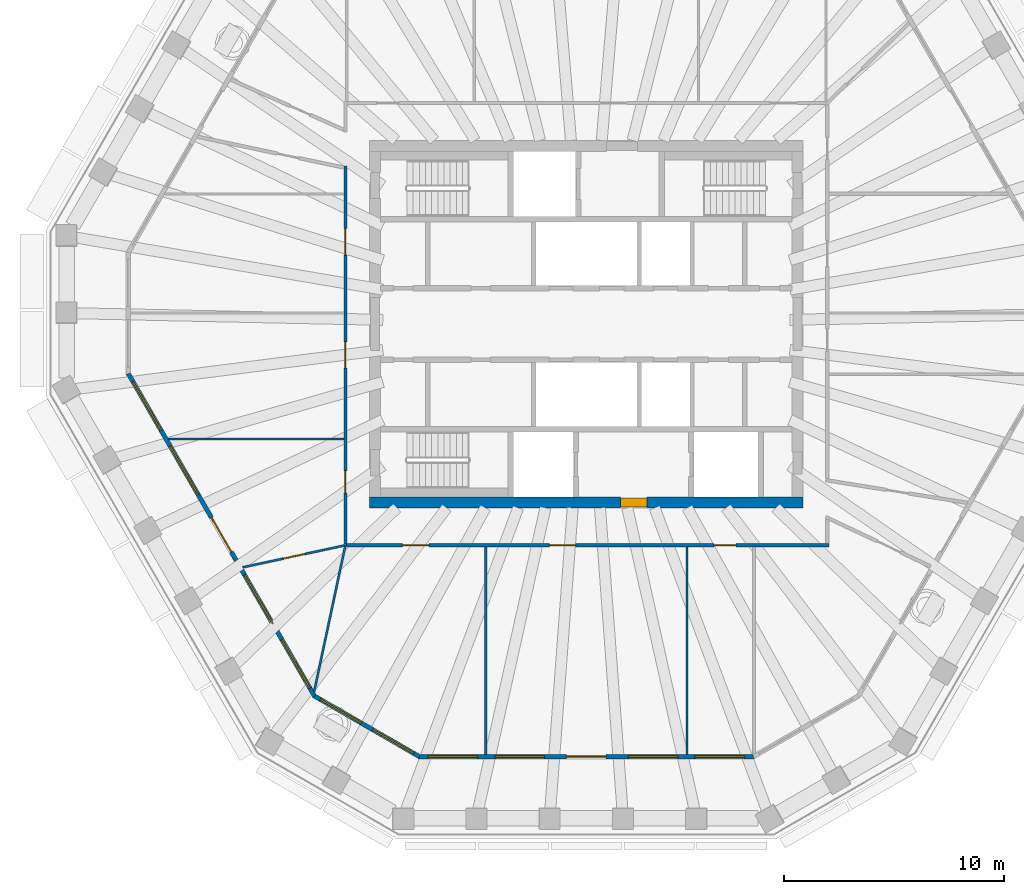
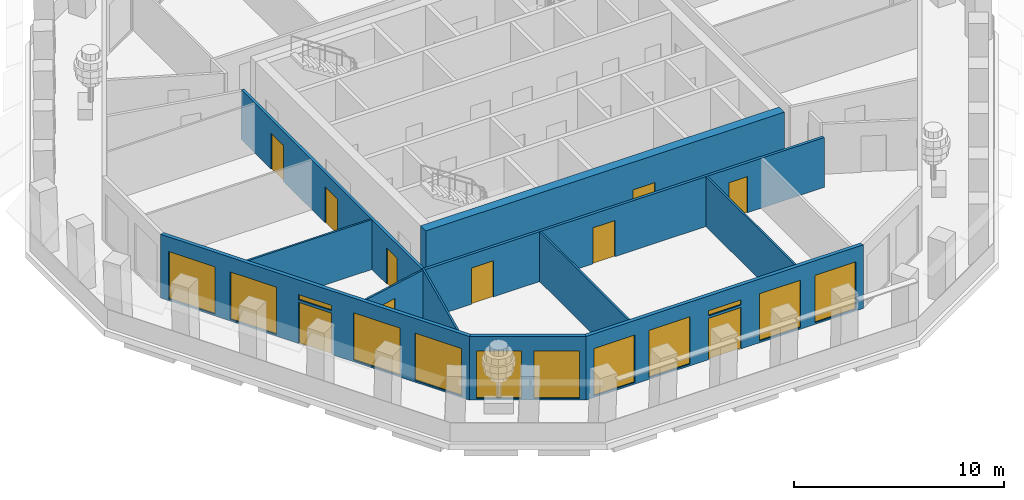
# One storey, part 3 of 11: 12 windows, 11 walls, 10 doors, 22 openings.
"""IFC4 building model written with IfcOpenShell, lengths in metres."""

import ifcopenshell
import ifcopenshell.guid

model = None  # the IFC model being written
_history = None  # IfcOwnerHistory: only IFC2X3 demands one
_inside = {}  # id of a spatial element -> (the spatial element, [elements in it])
_under = {}  # id of a project, library or spatial element -> (it, [spatial elements below it])
_declared = {}  # id of a project -> (the project, [libraries it declares])
_typed = {}  # id of a type object -> (the type object, [elements of that type])
_made_of = {}  # id of a material, layer set ... -> (it, [elements and type objects made of it])


def new_model(schema):
    """Start an empty IFC model of exactly this schema.

    Asked for "IFC4X3", IfcOpenShell would pick the latest addendum, in which some entities
    have other attributes; the version numbers below select the first issue.
    IFC2X3 requires an IfcOwnerHistory on every rooted entity: one is made here for all.
    """
    global model, _history
    if schema == "IFC4X3":
        model = ifcopenshell.file(schema_version=(4, 3, 0, 0))
    else:
        model = ifcopenshell.file(schema=schema)
    _inside.clear()
    _under.clear()
    _declared.clear()
    _typed.clear()
    _made_of.clear()
    _history = None
    if model.schema == "IFC2X3":
        org = make("IfcOrganization", Name="unknown")
        user = make(
            "IfcPersonAndOrganization",
            ThePerson=make("IfcPerson", FamilyName="unknown"),
            TheOrganization=org,
        )
        app = make(
            "IfcApplication",
            ApplicationDeveloper=org,
            Version="unknown",
            ApplicationFullName="unknown",
            ApplicationIdentifier="unknown",
        )
        _history = make(
            "IfcOwnerHistory",
            OwningUser=user,
            OwningApplication=app,
            ChangeAction="ADDED",
            CreationDate=0,
        )
    return model


def make(cls, **values):
    """One entity of the class cls with the attributes given. An attribute that is None is left unset."""
    return model.create_entity(
        cls, **{name: value for name, value in values.items() if value is not None}
    )


def rooted(cls, **values):
    """An entity with a GlobalId (a new one), such as an element, a storey or a relation."""
    return make(cls, GlobalId=ifcopenshell.guid.new(), OwnerHistory=_history, **values)


def si_unit(unit_type, name, prefix=None):
    """IfcSIUnit, for example si_unit("LENGTHUNIT", "METRE", prefix="MILLI")."""
    return make("IfcSIUnit", UnitType=unit_type, Prefix=prefix, Name=name)


def assignment(units):
    """IfcUnitAssignment: the units of a project."""
    return None if units is None else make("IfcUnitAssignment", Units=units)


def point(xyz):
    """IfcCartesianPoint."""
    return None if xyz is None else make("IfcCartesianPoint", Coordinates=xyz)


def direction(xyz):
    """IfcDirection."""
    return None if xyz is None else make("IfcDirection", DirectionRatios=xyz)


def frame(location, z_axis=None, x_axis=None):
    """IfcAxis2Placement3D, a coordinate frame: its origin and axes. An axis left out is left unset."""
    return make(
        "IfcAxis2Placement3D",
        Location=point(location),
        Axis=direction(z_axis),
        RefDirection=direction(x_axis),
    )


def frame_2d(location, x_axis=None):
    """IfcAxis2Placement2D, a coordinate frame in the plane: its origin and x axis."""
    return make(
        "IfcAxis2Placement2D", Location=point(location), RefDirection=direction(x_axis)
    )


def origin():
    """The frame at (0, 0, 0) with its axes left unset."""
    return frame((0.0, 0.0, 0.0))


def place(relative_to, where):
    """IfcLocalPlacement: puts the frame where relative to a parent placement (None: the world)."""
    return make(
        "IfcLocalPlacement", PlacementRelTo=relative_to, RelativePlacement=where
    )


def context(
    kind, dimensions, precision=None, world=None, true_north=None, identifier=None
):
    """IfcGeometricRepresentationContext, for example the 3D "Model" context."""
    return make(
        "IfcGeometricRepresentationContext",
        ContextIdentifier=identifier,
        ContextType=kind,
        CoordinateSpaceDimension=dimensions,
        Precision=precision,
        WorldCoordinateSystem=world,
        TrueNorth=true_north,
    )


def subcontext(parent, identifier, kind, view, scale=None):
    """IfcGeometricRepresentationSubContext, for example "Body" below "Model"."""
    return make(
        "IfcGeometricRepresentationSubContext",
        ContextIdentifier=identifier,
        ContextType=kind,
        ParentContext=parent,
        TargetScale=scale,
        TargetView=view,
    )


def project(units=None, contexts=None):
    """IfcProject with its units and contexts."""
    return rooted(
        "IfcProject",
        Name="project",
        RepresentationContexts=contexts,
        UnitsInContext=assignment(units),
    )


def spatial(cls, under=None, at=None, **own):
    """A site, building, storey or space (cls), placed at a placement, below another one or the project."""
    s = rooted(cls, ObjectPlacement=at, **own)
    if under is not None:
        _under.setdefault(under.id(), (under, []))[1].append(s)
    return s


def polyline(points):
    """IfcPolyline through the points."""
    return make("IfcPolyline", Points=[point(p) for p in points])


def profile(cls, at=None, kind="AREA", **sizes):
    """A parametric profile (cls). Its sizes go by their IFC names, for example OverallWidth=200.0."""
    return make(cls, ProfileType=kind, Position=at, **sizes)


def rectangle(**sizes):
    """IfcRectangleProfileDef."""
    return profile("IfcRectangleProfileDef", **sizes)


def outline(outer, holes=None, kind="AREA"):
    """IfcArbitraryClosedProfileDef: a profile drawn as a closed curve; with holes, ...WithVoids."""
    if holes is None:
        return make("IfcArbitraryClosedProfileDef", ProfileType=kind, OuterCurve=outer)
    return make(
        "IfcArbitraryProfileDefWithVoids",
        ProfileType=kind,
        OuterCurve=outer,
        InnerCurves=holes,
    )


def extrude(swept, where, along, depth):
    """IfcExtrudedAreaSolid: the profile swept, set in the frame where, extruded along a direction by depth."""
    return make(
        "IfcExtrudedAreaSolid",
        SweptArea=swept,
        Position=where,
        ExtrudedDirection=direction(along),
        Depth=depth,
    )


def shape(context_of_items, identifier, shape_type, items):
    """IfcShapeRepresentation: the items that make up one representation, for example the "Body"."""
    return make(
        "IfcShapeRepresentation",
        ContextOfItems=context_of_items,
        RepresentationIdentifier=identifier,
        RepresentationType=shape_type,
        Items=items,
    )


def material(Name=None, Category=None):
    """IfcMaterial."""
    return make("IfcMaterial", Name=Name, Category=Category)


def layer(
    of_material, thickness, ventilated=None, Name=None, Category=None, Priority=None
):
    """IfcMaterialLayer: one layer of a wall or slab, of a material (None: an air gap)."""
    return make(
        "IfcMaterialLayer",
        Material=of_material,
        LayerThickness=thickness,
        IsVentilated=ventilated,
        Name=Name,
        Category=Category,
        Priority=Priority,
    )


def layer_set(layers, Name=None):
    """IfcMaterialLayerSet."""
    return make("IfcMaterialLayerSet", MaterialLayers=layers, LayerSetName=Name)


def made_of(thing, what):
    """Note that an element or type object is made of a material, layer set ...; save() writes the relation."""
    if what is not None:
        _made_of.setdefault(what.id(), (what, []))[1].append(thing)
    return thing


def type_object(cls, material=None, **own):
    """A type object (cls), such as IfcWallType, which elements share."""
    return made_of(rooted(cls, **own), material)


def element(
    cls,
    number,
    at=None,
    inside=None,
    cuts=None,
    type_object=None,
    material=None,
    context=None,
    identifier="Body",
    shape_type=None,
    held_by="IfcProductDefinitionShape",
    body=None,
    shapes=None,
    **own,
):
    """One element of the class cls, such as IfcWall. Its Tag is "e" and its number.

    at: its placement. inside: the storey or other place that contains it. cuts: it is an
    opening in that element (IfcRelVoidsElement). A single representation is given by context,
    identifier, shape_type and body (its items); several are given by shapes. held_by: the class
    of the entity that holds the representations. save() writes the other relations.
    """
    e = rooted(cls, Tag="e%d" % number, ObjectPlacement=at, **own)
    if body is not None:
        shapes = [shape(context, identifier, shape_type, body)]
    if shapes is not None:
        e.Representation = make(held_by, Representations=shapes)
    if inside is not None:
        _inside.setdefault(inside.id(), (inside, []))[1].append(e)
    if cuts is not None:
        rooted(
            "IfcRelVoidsElement", RelatingBuildingElement=cuts, RelatedOpeningElement=e
        )
    if type_object is not None:
        _typed.setdefault(type_object.id(), (type_object, []))[1].append(e)
    return made_of(e, material)


def fill(opening, filler):
    """IfcRelFillsElement: the door or window that sits in an opening."""
    return rooted(
        "IfcRelFillsElement",
        RelatingOpeningElement=opening,
        RelatedBuildingElement=filler,
    )


def aggregate(whole, parts):
    """IfcRelAggregates: a whole, such as a stair, and the parts it consists of."""
    return rooted("IfcRelAggregates", RelatingObject=whole, RelatedObjects=parts)


def save(model, path):
    """Write the relations noted so far, then the file.

    IfcRelAggregates (storeys below a building ...), IfcRelContainedInSpatialStructure (elements
    in a storey), IfcRelDefinesByType, IfcRelAssociatesMaterial and IfcRelDeclares: one each for
    every whole, place, type object, material and project.
    """
    for whole, parts in _under.values():
        aggregate(whole, parts)
    for where, things in _inside.values():
        rooted(
            "IfcRelContainedInSpatialStructure",
            RelatedElements=things,
            RelatingStructure=where,
        )
    for kind, things in _typed.values():
        rooted("IfcRelDefinesByType", RelatedObjects=things, RelatingType=kind)
    for what, things in _made_of.values():
        rooted("IfcRelAssociatesMaterial", RelatedObjects=things, RelatingMaterial=what)
    for by, libraries in _declared.values():
        rooted("IfcRelDeclares", RelatingContext=by, RelatedDefinitions=libraries)
    model.write(path)


model = new_model("IFC4")

# Units and contexts
model_context = context("Model", 3, precision=1e-05, world=origin(), true_north=direction((0.0, 1.0)))
body_context = subcontext(model_context, "Body", "Model", "MODEL_VIEW")
ifc_project = project(units=[si_unit("LENGTHUNIT", "METRE"), si_unit("AREAUNIT", "SQUARE_METRE"), si_unit("VOLUMEUNIT", "CUBIC_METRE"), si_unit("PLANEANGLEUNIT", "RADIAN"), si_unit("MASSUNIT", "GRAM", prefix="KILO")], contexts=[model_context])

# Site, building, storey
site_placement = place(None, origin())
site = spatial("IfcSite", under=ifc_project, at=site_placement, CompositionType="ELEMENT")
building_placement = place(site_placement, origin())
building = spatial("IfcBuilding", under=site, at=building_placement, Name="Frailejon Research Tower", CompositionType="ELEMENT")
storey_placement = place(building_placement, frame((0.0, 0.0, 279.0)))
storey = spatial("IfcBuildingStorey", under=building, at=storey_placement, Name="L61", CompositionType="ELEMENT", Elevation=279.0)

# Wall, opening, door
ifc_material_1 = material(Name="Concrete C50/60", Category="concrete")
ifc_layer_1 = layer(ifc_material_1, 0.5)
ifc_layer_set_1 = layer_set([ifc_layer_1], Name="Core shear wall 500 C50/60")
wall_type_1 = type_object("IfcWallType", Name="Core shear wall 500 C50/60", PredefinedType="SHEAR", material=ifc_layer_set_1)
wall_1_placement = place(storey_placement, frame((-9.85009765625, -8.10009765625, 0.0), z_axis=(0.0, 0.0, 1.0), x_axis=(1.0, 0.0, 0.0)))
wall_1 = element("IfcWall", 1, at=wall_1_placement, inside=storey, type_object=wall_type_1, Name="Core shear wall", PredefinedType="SHEAR", context=body_context, shape_type="SweptSolid", body=[
    extrude(rectangle(XDim=19.7001953125, YDim=0.5, at=frame_2d((9.85009765625, 0.0))), origin(), (0.0, 0.0, 1.0), 3.699951171875),
])
opening_1_placement = place(wall_1_placement, frame((11.39990234375, 0.0, 0.0)))
opening_1 = element("IfcOpeningElement", 2, at=opening_1_placement, cuts=wall_1, Name="Opening D3", PredefinedType="OPENING", context=body_context, shape_type="SweptSolid", body=[
    extrude(rectangle(XDim=1.199951171875, YDim=2.10009765625, at=frame_2d((0.60009765625, 1.050048828125))), frame((0.0, 0.260009765625, 0.0), z_axis=(0.0, -1.0, 0.0), x_axis=(1.0, 0.0, 0.0)), (0.0, 0.0, 1.0), 0.52001953125),
])
ifc_material_2 = material(Name="Steel", Category="steel")
door_type_1 = type_object("IfcDoorType", Name="Firefighting lobby door", OperationType="SINGLE_SWING_LEFT", PredefinedType="DOOR", material=ifc_material_2)
door_1_placement = place(opening_1_placement, origin())
door_1 = element("IfcDoor", 3, at=door_1_placement, inside=storey, type_object=door_type_1, Name="Firefighting lobby door", OperationType="SINGLE_SWING_LEFT", OverallHeight=2.10009765625, OverallWidth=1.199951171875, PredefinedType="DOOR", context=body_context, shape_type="SweptSolid", body=[
    extrude(rectangle(XDim=1.199951171875, YDim=2.10009765625, at=frame_2d((0.60009765625, 1.050048828125))), frame((0.0, 0.199951171875, 0.0), z_axis=(0.0, -1.0, 0.0), x_axis=(1.0, 0.0, 0.0)), (0.0, 0.0, 1.0), 0.39990234375),
])
fill(opening_1, door_1)

# Wall, openings, doors
ifc_material_3 = material(Name="Gypsum board and masonry partition", Category="masonry")
ifc_layer_2 = layer(ifc_material_3, 0.14990234375)
ifc_layer_set_2 = layer_set([ifc_layer_2], Name="Corridor wall EI 60, gypsum on steel studs 150")
wall_type_2 = type_object("IfcWallType", Name="Corridor wall EI 60, gypsum on steel studs 150", PredefinedType="PARTITIONING", material=ifc_layer_set_2)
wall_2_placement = place(storey_placement, frame((-10.949951171875, -9.97509765625, 0.0), z_axis=(0.0, 0.0, 1.0), x_axis=(0.0, 1.0, 0.0)))
wall_2 = element("IfcWall", 4, at=wall_2_placement, inside=storey, type_object=wall_type_2, Name="T:IW:L61:006", PredefinedType="PARTITIONING", context=body_context, shape_type="SweptSolid", body=[
    extrude(rectangle(XDim=17.150146484375, YDim=0.14990234375, at=frame_2d((8.5751953125, 0.0))), origin(), (0.0, 0.0, 1.0), 2.89990234375),
])
opening_2_placement = place(wall_2_placement, frame((13.113525390625, 0.0, 0.0)))
opening_2 = element("IfcOpeningElement", 5, at=opening_2_placement, cuts=wall_2, Name="Opening D2177", PredefinedType="OPENING", context=body_context, shape_type="SweptSolid", body=[
    extrude(rectangle(XDim=1.199951171875, YDim=2.10009765625, at=frame_2d((0.60009765625, 1.050048828125))), frame((0.0, 0.0849609375, 0.0), z_axis=(0.0, -1.0, 0.0), x_axis=(1.0, 0.0, 0.0)), (0.0, 0.0, 1.0), 0.169921875),
])
opening_3_placement = place(wall_2_placement, frame((7.973388671875, 0.0, 0.0)))
opening_3 = element("IfcOpeningElement", 6, at=opening_3_placement, cuts=wall_2, Name="Opening D2178", PredefinedType="OPENING", context=body_context, shape_type="SweptSolid", body=[
    extrude(rectangle(XDim=1.199951171875, YDim=2.10009765625, at=frame_2d((0.60009765625, 1.050048828125))), frame((0.0, 0.0849609375, 0.0), z_axis=(0.0, -1.0, 0.0), x_axis=(1.0, 0.0, 0.0)), (0.0, 0.0, 1.0), 0.169921875),
])
opening_4_placement = place(wall_2_placement, frame((2.3125, 0.0, 0.0)))
opening_4 = element("IfcOpeningElement", 7, at=opening_4_placement, cuts=wall_2, Name="Opening D2179", PredefinedType="OPENING", context=body_context, shape_type="SweptSolid", body=[
    extrude(rectangle(XDim=1.0, YDim=2.10009765625, at=frame_2d((0.5, 1.050048828125))), frame((0.0, 0.0849609375, 0.0), z_axis=(0.0, -1.0, 0.0), x_axis=(1.0, 0.0, 0.0)), (0.0, 0.0, 1.0), 0.169921875),
])
ifc_material_4 = material(Name="Timber door leaf", Category="wood")
door_type_2 = type_object("IfcDoorType", Name="Door single leaf, timber, steel frame 1000", OperationType="NOTDEFINED", PredefinedType="DOOR", material=ifc_material_4)
door_2_placement = place(opening_4_placement, origin())
door_2 = element("IfcDoor", 8, at=door_2_placement, inside=storey, type_object=door_type_2, Name="D2179", OperationType="SINGLE_SWING_RIGHT", OverallHeight=2.10009765625, OverallWidth=1.0, PredefinedType="DOOR", context=body_context, shape_type="SweptSolid", body=[
    extrude(rectangle(XDim=1.0, YDim=2.10009765625, at=frame_2d((0.5, 1.050048828125))), frame((0.0, 0.02490234375, 0.0), z_axis=(0.0, -1.0, 0.0), x_axis=(1.0, 0.0, 0.0)), (0.0, 0.0, 1.0), 0.050048828125),
])
fill(opening_4, door_2)
ifc_material_5 = material(Name="Timber door leaf", Category="wood")
door_type_3 = type_object("IfcDoorType", Name="Door single leaf, timber, steel frame 1200", OperationType="NOTDEFINED", PredefinedType="DOOR", material=ifc_material_5)
door_3_placement = place(opening_2_placement, origin())
door_3 = element("IfcDoor", 9, at=door_3_placement, inside=storey, type_object=door_type_3, Name="D2177", OperationType="DOUBLE_DOOR_SINGLE_SWING", OverallHeight=2.10009765625, OverallWidth=1.199951171875, PredefinedType="DOOR", context=body_context, shape_type="SweptSolid", body=[
    extrude(rectangle(XDim=1.199951171875, YDim=2.10009765625, at=frame_2d((0.60009765625, 1.050048828125))), frame((0.0, 0.02490234375, 0.0), z_axis=(0.0, -1.0, 0.0), x_axis=(1.0, 0.0, 0.0)), (0.0, 0.0, 1.0), 0.050048828125),
])
fill(opening_2, door_3)
door_4_placement = place(opening_3_placement, origin())
door_4 = element("IfcDoor", 10, at=door_4_placement, inside=storey, type_object=door_type_3, Name="D2178", OperationType="DOUBLE_DOOR_SINGLE_SWING", OverallHeight=2.10009765625, OverallWidth=1.199951171875, PredefinedType="DOOR", context=body_context, shape_type="SweptSolid", body=[
    extrude(rectangle(XDim=1.199951171875, YDim=2.10009765625, at=frame_2d((0.60009765625, 1.050048828125))), frame((0.0, 0.02490234375, 0.0), z_axis=(0.0, -1.0, 0.0), x_axis=(1.0, 0.0, 0.0)), (0.0, 0.0, 1.0), 0.050048828125),
])
fill(opening_3, door_4)

wall_3_placement = place(storey_placement, frame((-10.89990234375, -10.050048828125, 0.0), z_axis=(0.0, 0.0, 1.0), x_axis=(1.0, 0.0, 0.0)))
wall_3 = element("IfcWall", 11, at=wall_3_placement, inside=storey, type_object=wall_type_2, Name="T:IW:L61:008", PredefinedType="PARTITIONING", context=body_context, shape_type="SweptSolid", body=[
    extrude(rectangle(XDim=21.9248046875, YDim=0.14990234375, at=frame_2d((10.96240234375, 0.0))), origin(), (0.0, 0.0, 1.0), 2.89990234375),
])
opening_5_placement = place(wall_3_placement, frame((2.540283203125, 0.0, 0.0)))
opening_5 = element("IfcOpeningElement", 12, at=opening_5_placement, cuts=wall_3, Name="Opening D2181", PredefinedType="OPENING", context=body_context, shape_type="SweptSolid", body=[
    extrude(rectangle(XDim=1.199951171875, YDim=2.10009765625, at=frame_2d((0.60009765625, 1.050048828125))), frame((0.0, 0.0849609375, 0.0), z_axis=(0.0, -1.0, 0.0), x_axis=(1.0, 0.0, 0.0)), (0.0, 0.0, 1.0), 0.169921875),
])
opening_6_placement = place(wall_3_placement, frame((9.214111328125, 0.0, 0.0)))
opening_6 = element("IfcOpeningElement", 13, at=opening_6_placement, cuts=wall_3, Name="Opening D2182", PredefinedType="OPENING", context=body_context, shape_type="SweptSolid", body=[
    extrude(rectangle(XDim=1.199951171875, YDim=2.10009765625, at=frame_2d((0.60009765625, 1.050048828125))), frame((0.0, 0.0849609375, 0.0), z_axis=(0.0, -1.0, 0.0), x_axis=(1.0, 0.0, 0.0)), (0.0, 0.0, 1.0), 0.169921875),
])
opening_7_placement = place(wall_3_placement, frame((16.694091796875, 0.0, 0.0)))
opening_7 = element("IfcOpeningElement", 14, at=opening_7_placement, cuts=wall_3, Name="Opening D2183", PredefinedType="OPENING", context=body_context, shape_type="SweptSolid", body=[
    extrude(rectangle(XDim=1.0, YDim=2.10009765625, at=frame_2d((0.5, 1.050048828125))), frame((0.0, 0.0849609375, 0.0), z_axis=(0.0, -1.0, 0.0), x_axis=(1.0, 0.0, 0.0)), (0.0, 0.0, 1.0), 0.169921875),
])
door_5_placement = place(opening_7_placement, origin())
door_5 = element("IfcDoor", 15, at=door_5_placement, inside=storey, type_object=door_type_2, Name="D2183", OperationType="SINGLE_SWING_LEFT", OverallHeight=2.10009765625, OverallWidth=1.0, PredefinedType="DOOR", context=body_context, shape_type="SweptSolid", body=[
    extrude(rectangle(XDim=1.0, YDim=2.10009765625, at=frame_2d((0.5, 1.050048828125))), frame((0.0, 0.02490234375, 0.0), z_axis=(0.0, -1.0, 0.0), x_axis=(1.0, 0.0, 0.0)), (0.0, 0.0, 1.0), 0.050048828125),
])
fill(opening_7, door_5)
door_6_placement = place(opening_5_placement, origin())
door_6 = element("IfcDoor", 16, at=door_6_placement, inside=storey, type_object=door_type_3, Name="D2181", OperationType="DOUBLE_DOOR_SINGLE_SWING", OverallHeight=2.10009765625, OverallWidth=1.199951171875, PredefinedType="DOOR", context=body_context, shape_type="SweptSolid", body=[
    extrude(rectangle(XDim=1.199951171875, YDim=2.10009765625, at=frame_2d((0.60009765625, 1.050048828125))), frame((0.0, 0.02490234375, 0.0), z_axis=(0.0, -1.0, 0.0), x_axis=(1.0, 0.0, 0.0)), (0.0, 0.0, 1.0), 0.050048828125),
])
fill(opening_5, door_6)
door_7_placement = place(opening_6_placement, origin())
door_7 = element("IfcDoor", 17, at=door_7_placement, inside=storey, type_object=door_type_3, Name="D2182", OperationType="DOUBLE_DOOR_SINGLE_SWING", OverallHeight=2.10009765625, OverallWidth=1.199951171875, PredefinedType="DOOR", context=body_context, shape_type="SweptSolid", body=[
    extrude(rectangle(XDim=1.199951171875, YDim=2.10009765625, at=frame_2d((0.60009765625, 1.050048828125))), frame((0.0, 0.02490234375, 0.0), z_axis=(0.0, -1.0, 0.0), x_axis=(1.0, 0.0, 0.0)), (0.0, 0.0, 1.0), 0.050048828125),
])
fill(opening_6, door_7)

# Wall
ifc_material_6 = material(Name="Gypsum board and masonry partition", Category="masonry")
ifc_layer_3 = layer(ifc_material_6, 0.10009765625)
ifc_layer_set_3 = layer_set([ifc_layer_3], Name="Partition, gypsum on steel studs 100")
wall_type_3 = type_object("IfcWallType", Name="Partition, gypsum on steel studs 100", PredefinedType="PARTITIONING", material=ifc_layer_set_3)
wall_4_placement = place(storey_placement, frame((-18.98583984375, -5.21533203125, 0.0), z_axis=(0.0, 0.0, 1.0), x_axis=(1.0, 0.0, 0.0)))
element("IfcWall", 18, at=wall_4_placement, inside=storey, type_object=wall_type_3, Name="T:IW:L61:021", PredefinedType="PARTITIONING", context=body_context, shape_type="SweptSolid", body=[
    extrude(rectangle(XDim=7.9609375, YDim=0.10009765625, at=frame_2d((3.98046875, 0.0))), origin(), (0.0, 0.0, 1.0), 2.89990234375),
])

# Wall, opening, door
wall_5_placement = place(storey_placement, frame((-15.616943359375, -11.05078125, 0.0), z_axis=(0.0, 0.0, 1.0), x_axis=(0.977775173816, 0.209656169645, 0.0)))
wall_5 = element("IfcWall", 19, at=wall_5_placement, inside=storey, type_object=wall_type_3, Name="T:IW:L61:022", PredefinedType="PARTITIONING", context=body_context, shape_type="SweptSolid", body=[
    extrude(rectangle(XDim=4.72314453125, YDim=0.10009765625, at=frame_2d((2.361572265625, 0.0))), origin(), (0.0, 0.0, 1.0), 2.89990234375),
])
opening_8_placement = place(wall_5_placement, frame((1.886474609375, 0.0, 0.0)))
opening_8 = element("IfcOpeningElement", 20, at=opening_8_placement, cuts=wall_5, Name="Opening D2180", PredefinedType="OPENING", context=body_context, shape_type="SweptSolid", body=[
    extrude(rectangle(XDim=1.0, YDim=2.10009765625, at=frame_2d((0.5, 1.050048828125))), frame((0.0, 0.06005859375, 0.0), z_axis=(0.0, -1.0, 0.0), x_axis=(1.0, 0.0, 0.0)), (0.0, 0.0, 1.0), 0.1201171875),
])
door_8_placement = place(opening_8_placement, origin())
door_8 = element("IfcDoor", 21, at=door_8_placement, inside=storey, type_object=door_type_2, Name="D2180", OperationType="SINGLE_SWING_LEFT", OverallHeight=2.10009765625, OverallWidth=1.0, PredefinedType="DOOR", context=body_context, shape_type="SweptSolid", body=[
    extrude(rectangle(XDim=1.0, YDim=2.10009765625, at=frame_2d((0.5, 1.050048828125))), frame((0.0, 0.02490234375, 0.0), z_axis=(0.0, -1.0, 0.0), x_axis=(1.0, 0.0, 0.0)), (0.0, 0.0, 1.0), 0.050048828125),
])
fill(opening_8, door_8)

# Walls
wall_6_placement = place(storey_placement, frame((-12.365478515625, -16.682373046875, 0.0), z_axis=(0.0, 0.0, 1.0), x_axis=(0.208726564396, 0.977974039183, 0.0)))
element("IfcWall", 22, at=wall_6_placement, inside=storey, type_object=wall_type_3, Name="T:IW:L61:023", PredefinedType="PARTITIONING", context=body_context, shape_type="SweptSolid", body=[
    extrude(rectangle(XDim=6.856689453125, YDim=0.10009765625, at=frame_2d((3.42822265625, 0.0))), origin(), (0.0, 0.0, 1.0), 2.89990234375),
])
for number, where, z_axis, x_axis, name in (
    (23, (-4.569091796875, -19.552734375, 0.0), (0.0, 0.0, 1.0), (0.0, 1.0, 0.0), "T:IW:L61:024"),
    (24, (4.569091796875, -19.552734375, 0.0), (0.0, 0.0, 1.0), (0.0, 1.0, 0.0), "T:IW:L61:025"),
):
    element("IfcWall", number, at=place(storey_placement, frame(where, z_axis=z_axis, x_axis=x_axis)), inside=storey, type_object=wall_type_3, Name=name, PredefinedType="PARTITIONING", context=body_context, shape_type="SweptSolid", body=[
        extrude(rectangle(XDim=9.427734375, YDim=0.10009765625, at=frame_2d((4.7138671875, 0.0))), origin(), (0.0, 0.0, 1.0), 2.89990234375),
    ])

# Wall, openings, door, windows
ifc_material_7 = material(Name="Concrete C40/50 precast window wall panel", Category="concrete")
ifc_layer_4 = layer(ifc_material_7, 0.199951171875)
ifc_layer_set_4 = layer_set([ifc_layer_4], Name="Window wall 200")
wall_type_4 = type_object("IfcWallType", Name="Window wall 200", PredefinedType="SOLIDWALL", material=ifc_layer_set_4)
wall_7_placement = place(storey_placement, frame((-20.814208984375, -2.248779296875, 0.0), z_axis=(0.0, 0.0, 1.0), x_axis=(0.499997253739, -0.866026989333, 0.0)))
wall_7 = element("IfcWall", 25, at=wall_7_placement, inside=storey, type_object=wall_type_4, Name="Exterior wall L61", PredefinedType="SOLIDWALL", context=body_context, shape_type="SweptSolid", body=[
    extrude(outline(polyline([(-0.02685546875, -0.10009765625), (1.033935546875, -0.10009765625), (2.0947265625, -0.10009765625), (3.155517578125, -0.10009765625), (4.21630859375, -0.10009765625), (5.277099609375, -0.10009765625), (6.337890625, -0.10009765625), (7.398681640625, -0.10009765625), (8.45947265625, -0.10009765625), (9.520263671875, -0.10009765625), (10.5810546875, -0.10009765625), (11.641845703125, -0.10009765625), (12.70263671875, -0.10009765625), (13.763427734375, -0.10009765625), (14.82421875, -0.10009765625), (15.885009765625, -0.10009765625), (16.94580078125, -0.10009765625), (16.89208984375, 0.10009765625), (15.837890625, 0.10009765625), (14.783935546875, 0.10009765625), (13.72998046875, 0.10009765625), (12.67578125, 0.10009765625), (11.62158203125, 0.10009765625), (10.567626953125, 0.10009765625), (9.513671875, 0.10009765625), (8.45947265625, 0.10009765625), (7.4052734375, 0.10009765625), (6.351318359375, 0.10009765625), (5.29736328125, 0.10009765625), (4.2431640625, 0.10009765625), (3.18896484375, 0.10009765625), (2.135009765625, 0.10009765625), (1.0810546875, 0.10009765625), (0.02685546875, 0.10009765625), (-0.02685546875, -0.10009765625)])), origin(), (0.0, 0.0, 1.0), 3.699951171875),
])
opening_9_placement = place(wall_7_placement, frame((0.4169921875, 0.0, 0.10009765625)))
opening_9 = element("IfcOpeningElement", 26, at=opening_9_placement, cuts=wall_7, Name="Opening W25", PredefinedType="OPENING", context=body_context, shape_type="SweptSolid", body=[
    extrude(rectangle(XDim=2.550048828125, YDim=2.75, at=frame_2d((1.27490234375, 1.375))), frame((0.0, 0.10986328125, 0.0), z_axis=(0.0, -1.0, 0.0), x_axis=(1.0, 0.0, 0.0)), (0.0, 0.0, 1.0), 0.219970703125),
])
opening_10_placement = place(wall_7_placement, frame((3.80078125, 0.0, 0.10009765625)))
opening_10 = element("IfcOpeningElement", 27, at=opening_10_placement, cuts=wall_7, Name="Opening W25", PredefinedType="OPENING", context=body_context, shape_type="SweptSolid", body=[
    extrude(rectangle(XDim=2.550048828125, YDim=2.75, at=frame_2d((1.27490234375, 1.375))), frame((0.0, 0.10986328125, 0.0), z_axis=(0.0, -1.0, 0.0), x_axis=(1.0, 0.0, 0.0)), (0.0, 0.0, 1.0), 0.219970703125),
])
opening_11_placement = place(wall_7_placement, frame((7.5595703125, 0.0, 0.0)))
opening_11 = element("IfcOpeningElement", 28, at=opening_11_placement, cuts=wall_7, Name="Opening LG61-4", PredefinedType="OPENING", context=body_context, shape_type="SweptSolid", body=[
    extrude(rectangle(XDim=1.800048828125, YDim=2.39990234375, at=frame_2d((0.89990234375, 1.199951171875))), frame((0.0, 0.10986328125, 0.0), z_axis=(0.0, -1.0, 0.0), x_axis=(1.0, 0.0, 0.0)), (0.0, 0.0, 1.0), 0.219970703125),
])
opening_12_placement = place(wall_7_placement, frame((7.5595703125, 0.0, 2.550048828125)))
opening_12 = element("IfcOpeningElement", 29, at=opening_12_placement, cuts=wall_7, Name="Opening W24", PredefinedType="OPENING", context=body_context, shape_type="SweptSolid", body=[
    extrude(rectangle(XDim=1.800048828125, YDim=0.300048828125, at=frame_2d((0.89990234375, 0.14990234375))), frame((0.0, 0.10986328125, 0.0), z_axis=(0.0, -1.0, 0.0), x_axis=(1.0, 0.0, 0.0)), (0.0, 0.0, 1.0), 0.219970703125),
])
opening_13_placement = place(wall_7_placement, frame((10.568359375, 0.0, 0.10009765625)))
opening_13 = element("IfcOpeningElement", 30, at=opening_13_placement, cuts=wall_7, Name="Opening W25", PredefinedType="OPENING", context=body_context, shape_type="SweptSolid", body=[
    extrude(rectangle(XDim=2.550048828125, YDim=2.75, at=frame_2d((1.27490234375, 1.375))), frame((0.0, 0.10986328125, 0.0), z_axis=(0.0, -1.0, 0.0), x_axis=(1.0, 0.0, 0.0)), (0.0, 0.0, 1.0), 0.219970703125),
])
opening_14_placement = place(wall_7_placement, frame((13.951904296875, 0.0, 0.10009765625)))
opening_14 = element("IfcOpeningElement", 31, at=opening_14_placement, cuts=wall_7, Name="Opening W25", PredefinedType="OPENING", context=body_context, shape_type="SweptSolid", body=[
    extrude(rectangle(XDim=2.550048828125, YDim=2.75, at=frame_2d((1.27490234375, 1.375))), frame((0.0, 0.10986328125, 0.0), z_axis=(0.0, -1.0, 0.0), x_axis=(1.0, 0.0, 0.0)), (0.0, 0.0, 1.0), 0.219970703125),
])
ifc_material_8 = material(Name="Aluminium framed glazed door leaf", Category="aluminium")
door_type_4 = type_object("IfcDoorType", Name="Loggia door 1800x2400", OperationType="DOUBLE_DOOR_SINGLE_SWING", PredefinedType="DOOR", material=ifc_material_8)
door_9_placement = place(opening_11_placement, origin())
door_9 = element("IfcDoor", 32, at=door_9_placement, inside=storey, type_object=door_type_4, Name="Door LG61-4", OperationType="DOUBLE_DOOR_SINGLE_SWING", OverallHeight=2.39990234375, OverallWidth=1.800048828125, PredefinedType="DOOR", context=body_context, shape_type="SweptSolid", body=[
    extrude(rectangle(XDim=1.800048828125, YDim=2.39990234375, at=frame_2d((0.89990234375, 1.199951171875))), frame((0.0, 0.02490234375, 0.0), z_axis=(0.0, -1.0, 0.0), x_axis=(1.0, 0.0, 0.0)), (0.0, 0.0, 1.0), 0.050048828125),
])
fill(opening_11, door_9)
ifc_material_9 = material(Name="Aluminium framed double glazing", Category="aluminium")
window_type_1 = type_object("IfcWindowType", Name="Window 1800x300", PartitioningType="SINGLE_PANEL", PredefinedType="WINDOW", material=ifc_material_9)
window_1_placement = place(opening_12_placement, origin())
window_1 = element("IfcWindow", 33, at=window_1_placement, inside=storey, type_object=window_type_1, Name="Window L61", OverallHeight=0.300048828125, OverallWidth=1.800048828125, PartitioningType="SINGLE_PANEL", PredefinedType="WINDOW", context=body_context, shape_type="SweptSolid", body=[
    extrude(rectangle(XDim=1.800048828125, YDim=0.300048828125, at=frame_2d((0.89990234375, 0.14990234375))), frame((0.0, 0.030029296875, 0.0), z_axis=(0.0, -1.0, 0.0), x_axis=(1.0, 0.0, 0.0)), (0.0, 0.0, 1.0), 0.06005859375),
])
fill(opening_12, window_1)
ifc_material_10 = material(Name="Aluminium framed double glazing", Category="aluminium")
window_type_2 = type_object("IfcWindowType", Name="Window 2550x2750", PartitioningType="SINGLE_PANEL", PredefinedType="WINDOW", material=ifc_material_10)
window_2_placement = place(opening_9_placement, origin())
window_2 = element("IfcWindow", 34, at=window_2_placement, inside=storey, type_object=window_type_2, Name="Window L61", OverallHeight=2.75, OverallWidth=2.550048828125, PartitioningType="SINGLE_PANEL", PredefinedType="WINDOW", context=body_context, shape_type="SweptSolid", body=[
    extrude(rectangle(XDim=2.550048828125, YDim=2.75, at=frame_2d((1.27490234375, 1.375))), frame((0.0, 0.030029296875, 0.0), z_axis=(0.0, -1.0, 0.0), x_axis=(1.0, 0.0, 0.0)), (0.0, 0.0, 1.0), 0.06005859375),
])
fill(opening_9, window_2)
window_3_placement = place(opening_10_placement, origin())
window_3 = element("IfcWindow", 35, at=window_3_placement, inside=storey, type_object=window_type_2, Name="Window L61", OverallHeight=2.75, OverallWidth=2.550048828125, PartitioningType="SINGLE_PANEL", PredefinedType="WINDOW", context=body_context, shape_type="SweptSolid", body=[
    extrude(rectangle(XDim=2.550048828125, YDim=2.75, at=frame_2d((1.27490234375, 1.375))), frame((0.0, 0.030029296875, 0.0), z_axis=(0.0, -1.0, 0.0), x_axis=(1.0, 0.0, 0.0)), (0.0, 0.0, 1.0), 0.06005859375),
])
fill(opening_10, window_3)
window_4_placement = place(opening_13_placement, origin())
window_4 = element("IfcWindow", 36, at=window_4_placement, inside=storey, type_object=window_type_2, Name="Window L61", OverallHeight=2.75, OverallWidth=2.550048828125, PartitioningType="SINGLE_PANEL", PredefinedType="WINDOW", context=body_context, shape_type="SweptSolid", body=[
    extrude(rectangle(XDim=2.550048828125, YDim=2.75, at=frame_2d((1.27490234375, 1.375))), frame((0.0, 0.030029296875, 0.0), z_axis=(0.0, -1.0, 0.0), x_axis=(1.0, 0.0, 0.0)), (0.0, 0.0, 1.0), 0.06005859375),
])
fill(opening_13, window_4)
window_5_placement = place(opening_14_placement, origin())
window_5 = element("IfcWindow", 37, at=window_5_placement, inside=storey, type_object=window_type_2, Name="Window L61", OverallHeight=2.75, OverallWidth=2.550048828125, PartitioningType="SINGLE_PANEL", PredefinedType="WINDOW", context=body_context, shape_type="SweptSolid", body=[
    extrude(rectangle(XDim=2.550048828125, YDim=2.75, at=frame_2d((1.27490234375, 1.375))), frame((0.0, 0.030029296875, 0.0), z_axis=(0.0, -1.0, 0.0), x_axis=(1.0, 0.0, 0.0)), (0.0, 0.0, 1.0), 0.06005859375),
])
fill(opening_14, window_5)

# Wall, openings, windows
wall_8_placement = place(storey_placement, frame((-12.354736328125, -16.901123046875, 0.0), z_axis=(0.0, 0.0, 1.0), x_axis=(0.866026017613, -0.499998936816, 0.0)))
wall_8 = element("IfcWall", 38, at=wall_8_placement, inside=storey, type_object=wall_type_4, Name="Exterior wall L61", PredefinedType="SOLIDWALL", context=body_context, shape_type="SweptSolid", body=[
    extrude(outline(polyline([(-0.02685546875, -0.10009765625), (1.08447265625, -0.10009765625), (2.196044921875, -0.10009765625), (3.307373046875, -0.10009765625), (4.4189453125, -0.10009765625), (5.5302734375, -0.10009765625), (5.4765625, 0.10009765625), (4.38671875, 0.10009765625), (3.296630859375, 0.10009765625), (2.206787109375, 0.10009765625), (1.11669921875, 0.10009765625), (0.02685546875, 0.10009765625), (-0.02685546875, -0.10009765625)])), origin(), (0.0, 0.0, 1.0), 3.699951171875),
])
opening_15_placement = place(wall_8_placement, frame((0.30078125, 0.0, 0.10009765625)))
opening_15 = element("IfcOpeningElement", 39, at=opening_15_placement, cuts=wall_8, Name="Opening W22", PredefinedType="OPENING", context=body_context, shape_type="SweptSolid", body=[
    extrude(rectangle(XDim=2.14990234375, YDim=2.75, at=frame_2d((1.074951171875, 1.375))), frame((0.0, 0.10986328125, 0.0), z_axis=(0.0, -1.0, 0.0), x_axis=(1.0, 0.0, 0.0)), (0.0, 0.0, 1.0), 0.219970703125),
])
opening_16_placement = place(wall_8_placement, frame((3.052490234375, 0.0, 0.10009765625)))
opening_16 = element("IfcOpeningElement", 40, at=opening_16_placement, cuts=wall_8, Name="Opening W22", PredefinedType="OPENING", context=body_context, shape_type="SweptSolid", body=[
    extrude(rectangle(XDim=2.14990234375, YDim=2.75, at=frame_2d((1.074951171875, 1.375))), frame((0.0, 0.10986328125, 0.0), z_axis=(0.0, -1.0, 0.0), x_axis=(1.0, 0.0, 0.0)), (0.0, 0.0, 1.0), 0.219970703125),
])
ifc_material_11 = material(Name="Aluminium framed double glazing", Category="aluminium")
window_type_3 = type_object("IfcWindowType", Name="Window 2150x2750", PartitioningType="SINGLE_PANEL", PredefinedType="WINDOW", material=ifc_material_11)
window_6_placement = place(opening_15_placement, origin())
window_6 = element("IfcWindow", 41, at=window_6_placement, inside=storey, type_object=window_type_3, Name="Window L61", OverallHeight=2.75, OverallWidth=2.14990234375, PartitioningType="SINGLE_PANEL", PredefinedType="WINDOW", context=body_context, shape_type="SweptSolid", body=[
    extrude(rectangle(XDim=2.14990234375, YDim=2.75, at=frame_2d((1.074951171875, 1.375))), frame((0.0, 0.030029296875, 0.0), z_axis=(0.0, -1.0, 0.0), x_axis=(1.0, 0.0, 0.0)), (0.0, 0.0, 1.0), 0.06005859375),
])
fill(opening_15, window_6)
window_7_placement = place(opening_16_placement, origin())
window_7 = element("IfcWindow", 42, at=window_7_placement, inside=storey, type_object=window_type_3, Name="Window L61", OverallHeight=2.75, OverallWidth=2.14990234375, PartitioningType="SINGLE_PANEL", PredefinedType="WINDOW", context=body_context, shape_type="SweptSolid", body=[
    extrude(rectangle(XDim=2.14990234375, YDim=2.75, at=frame_2d((1.074951171875, 1.375))), frame((0.0, 0.030029296875, 0.0), z_axis=(0.0, -1.0, 0.0), x_axis=(1.0, 0.0, 0.0)), (0.0, 0.0, 1.0), 0.06005859375),
])
fill(opening_16, window_7)

# Wall, openings, door, windows
wall_9_placement = place(storey_placement, frame((-7.588623046875, -19.65283203125, 0.0), z_axis=(0.0, 0.0, 1.0), x_axis=(1.0, 0.0, 0.0)))
wall_9 = element("IfcWall", 43, at=wall_9_placement, inside=storey, type_object=wall_type_4, Name="Exterior wall L61", PredefinedType="SOLIDWALL", context=body_context, shape_type="SweptSolid", body=[
    extrude(outline(polyline([(-0.02685546875, -0.10009765625), (0.988525390625, -0.10009765625), (2.00390625, -0.10009765625), (3.019287109375, -0.10009765625), (4.03466796875, -0.10009765625), (5.050048828125, -0.10009765625), (6.0654296875, -0.10009765625), (7.080810546875, -0.10009765625), (8.096435546875, -0.10009765625), (9.11181640625, -0.10009765625), (10.127197265625, -0.10009765625), (11.142578125, -0.10009765625), (12.157958984375, -0.10009765625), (13.17333984375, -0.10009765625), (14.188720703125, -0.10009765625), (15.2041015625, -0.10009765625), (15.150390625, 0.10009765625), (14.14208984375, 0.10009765625), (13.134033203125, 0.10009765625), (12.125732421875, 0.10009765625), (11.117431640625, 0.10009765625), (10.109130859375, 0.10009765625), (9.10107421875, 0.10009765625), (8.0927734375, 0.10009765625), (7.08447265625, 0.10009765625), (6.076171875, 0.10009765625), (5.068115234375, 0.10009765625), (4.059814453125, 0.10009765625), (3.051513671875, 0.10009765625), (2.043212890625, 0.10009765625), (1.03515625, 0.10009765625), (0.02685546875, 0.10009765625), (-0.02685546875, -0.10009765625)])), origin(), (0.0, 0.0, 1.0), 3.699951171875),
])
opening_17_placement = place(wall_9_placement, frame((0.392578125, 0.0, 0.10009765625)))
opening_17 = element("IfcOpeningElement", 44, at=opening_17_placement, cuts=wall_9, Name="Opening W23", PredefinedType="OPENING", context=body_context, shape_type="SweptSolid", body=[
    extrude(rectangle(XDim=2.25, YDim=2.75, at=frame_2d((1.125, 1.375))), frame((0.0, 0.10986328125, 0.0), z_axis=(0.0, -1.0, 0.0), x_axis=(1.0, 0.0, 0.0)), (0.0, 0.0, 1.0), 0.219970703125),
])
opening_18_placement = place(wall_9_placement, frame((3.427978515625, 0.0, 0.10009765625)))
opening_18 = element("IfcOpeningElement", 45, at=opening_18_placement, cuts=wall_9, Name="Opening W23", PredefinedType="OPENING", context=body_context, shape_type="SweptSolid", body=[
    extrude(rectangle(XDim=2.25, YDim=2.75, at=frame_2d((1.125, 1.375))), frame((0.0, 0.10986328125, 0.0), z_axis=(0.0, -1.0, 0.0), x_axis=(1.0, 0.0, 0.0)), (0.0, 0.0, 1.0), 0.219970703125),
])
opening_19_placement = place(wall_9_placement, frame((6.688720703125, 0.0, 0.0)))
opening_19 = element("IfcOpeningElement", 46, at=opening_19_placement, cuts=wall_9, Name="Opening LG61-5", PredefinedType="OPENING", context=body_context, shape_type="SweptSolid", body=[
    extrude(rectangle(XDim=1.800048828125, YDim=2.39990234375, at=frame_2d((0.89990234375, 1.199951171875))), frame((0.0, 0.10986328125, 0.0), z_axis=(0.0, -1.0, 0.0), x_axis=(1.0, 0.0, 0.0)), (0.0, 0.0, 1.0), 0.219970703125),
])
opening_20_placement = place(wall_9_placement, frame((6.688720703125, 0.0, 2.550048828125)))
opening_20 = element("IfcOpeningElement", 47, at=opening_20_placement, cuts=wall_9, Name="Opening W24", PredefinedType="OPENING", context=body_context, shape_type="SweptSolid", body=[
    extrude(rectangle(XDim=1.800048828125, YDim=0.300048828125, at=frame_2d((0.89990234375, 0.14990234375))), frame((0.0, 0.10986328125, 0.0), z_axis=(0.0, -1.0, 0.0), x_axis=(1.0, 0.0, 0.0)), (0.0, 0.0, 1.0), 0.219970703125),
])
opening_21_placement = place(wall_9_placement, frame((9.4990234375, 0.0, 0.10009765625)))
opening_21 = element("IfcOpeningElement", 48, at=opening_21_placement, cuts=wall_9, Name="Opening W23", PredefinedType="OPENING", context=body_context, shape_type="SweptSolid", body=[
    extrude(rectangle(XDim=2.25, YDim=2.75, at=frame_2d((1.125, 1.375))), frame((0.0, 0.10986328125, 0.0), z_axis=(0.0, -1.0, 0.0), x_axis=(1.0, 0.0, 0.0)), (0.0, 0.0, 1.0), 0.219970703125),
])
opening_22_placement = place(wall_9_placement, frame((12.534423828125, 0.0, 0.10009765625)))
opening_22 = element("IfcOpeningElement", 49, at=opening_22_placement, cuts=wall_9, Name="Opening W23", PredefinedType="OPENING", context=body_context, shape_type="SweptSolid", body=[
    extrude(rectangle(XDim=2.25, YDim=2.75, at=frame_2d((1.125, 1.375))), frame((0.0, 0.10986328125, 0.0), z_axis=(0.0, -1.0, 0.0), x_axis=(1.0, 0.0, 0.0)), (0.0, 0.0, 1.0), 0.219970703125),
])
door_10_placement = place(opening_19_placement, origin())
door_10 = element("IfcDoor", 50, at=door_10_placement, inside=storey, type_object=door_type_4, Name="Door LG61-5", OperationType="DOUBLE_DOOR_SINGLE_SWING", OverallHeight=2.39990234375, OverallWidth=1.800048828125, PredefinedType="DOOR", context=body_context, shape_type="SweptSolid", body=[
    extrude(rectangle(XDim=1.800048828125, YDim=2.39990234375, at=frame_2d((0.89990234375, 1.199951171875))), frame((0.0, 0.02490234375, 0.0), z_axis=(0.0, -1.0, 0.0), x_axis=(1.0, 0.0, 0.0)), (0.0, 0.0, 1.0), 0.050048828125),
])
fill(opening_19, door_10)
window_8_placement = place(opening_20_placement, origin())
window_8 = element("IfcWindow", 51, at=window_8_placement, inside=storey, type_object=window_type_1, Name="Window L61", OverallHeight=0.300048828125, OverallWidth=1.800048828125, PartitioningType="SINGLE_PANEL", PredefinedType="WINDOW", context=body_context, shape_type="SweptSolid", body=[
    extrude(rectangle(XDim=1.800048828125, YDim=0.300048828125, at=frame_2d((0.89990234375, 0.14990234375))), frame((0.0, 0.030029296875, 0.0), z_axis=(0.0, -1.0, 0.0), x_axis=(1.0, 0.0, 0.0)), (0.0, 0.0, 1.0), 0.06005859375),
])
fill(opening_20, window_8)
ifc_material_12 = material(Name="Aluminium framed double glazing", Category="aluminium")
window_type_4 = type_object("IfcWindowType", Name="Window 2250x2750", PartitioningType="SINGLE_PANEL", PredefinedType="WINDOW", material=ifc_material_12)
window_9_placement = place(opening_17_placement, origin())
window_9 = element("IfcWindow", 52, at=window_9_placement, inside=storey, type_object=window_type_4, Name="Window L61", OverallHeight=2.75, OverallWidth=2.25, PartitioningType="SINGLE_PANEL", PredefinedType="WINDOW", context=body_context, shape_type="SweptSolid", body=[
    extrude(rectangle(XDim=2.25, YDim=2.75, at=frame_2d((1.125, 1.375))), frame((0.0, 0.030029296875, 0.0), z_axis=(0.0, -1.0, 0.0), x_axis=(1.0, 0.0, 0.0)), (0.0, 0.0, 1.0), 0.06005859375),
])
fill(opening_17, window_9)
window_10_placement = place(opening_18_placement, origin())
window_10 = element("IfcWindow", 53, at=window_10_placement, inside=storey, type_object=window_type_4, Name="Window L61", OverallHeight=2.75, OverallWidth=2.25, PartitioningType="SINGLE_PANEL", PredefinedType="WINDOW", context=body_context, shape_type="SweptSolid", body=[
    extrude(rectangle(XDim=2.25, YDim=2.75, at=frame_2d((1.125, 1.375))), frame((0.0, 0.030029296875, 0.0), z_axis=(0.0, -1.0, 0.0), x_axis=(1.0, 0.0, 0.0)), (0.0, 0.0, 1.0), 0.06005859375),
])
fill(opening_18, window_10)
window_11_placement = place(opening_21_placement, origin())
window_11 = element("IfcWindow", 54, at=window_11_placement, inside=storey, type_object=window_type_4, Name="Window L61", OverallHeight=2.75, OverallWidth=2.25, PartitioningType="SINGLE_PANEL", PredefinedType="WINDOW", context=body_context, shape_type="SweptSolid", body=[
    extrude(rectangle(XDim=2.25, YDim=2.75, at=frame_2d((1.125, 1.375))), frame((0.0, 0.030029296875, 0.0), z_axis=(0.0, -1.0, 0.0), x_axis=(1.0, 0.0, 0.0)), (0.0, 0.0, 1.0), 0.06005859375),
])
fill(opening_21, window_11)
window_12_placement = place(opening_22_placement, origin())
window_12 = element("IfcWindow", 55, at=window_12_placement, inside=storey, type_object=window_type_4, Name="Window L61", OverallHeight=2.75, OverallWidth=2.25, PartitioningType="SINGLE_PANEL", PredefinedType="WINDOW", context=body_context, shape_type="SweptSolid", body=[
    extrude(rectangle(XDim=2.25, YDim=2.75, at=frame_2d((1.125, 1.375))), frame((0.0, 0.030029296875, 0.0), z_axis=(0.0, -1.0, 0.0), x_axis=(1.0, 0.0, 0.0)), (0.0, 0.0, 1.0), 0.06005859375),
])
fill(opening_22, window_12)

save(model, "model.ifc")
